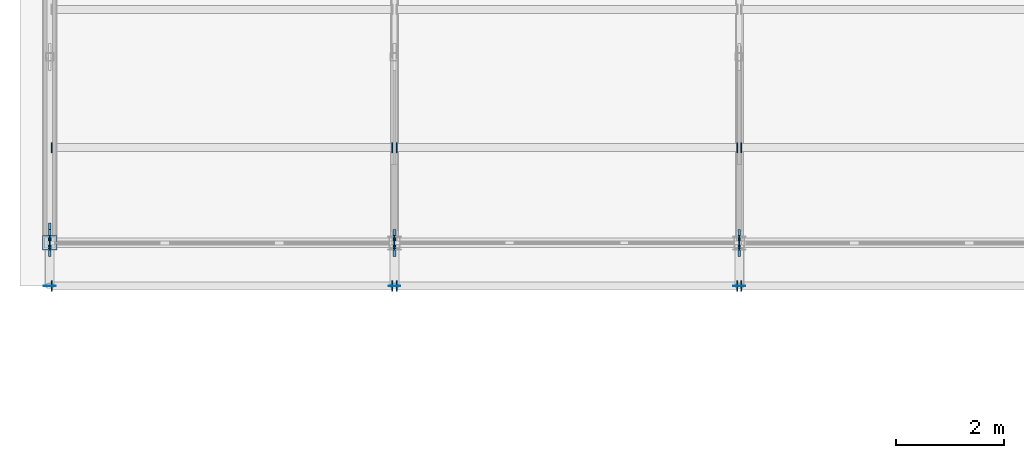
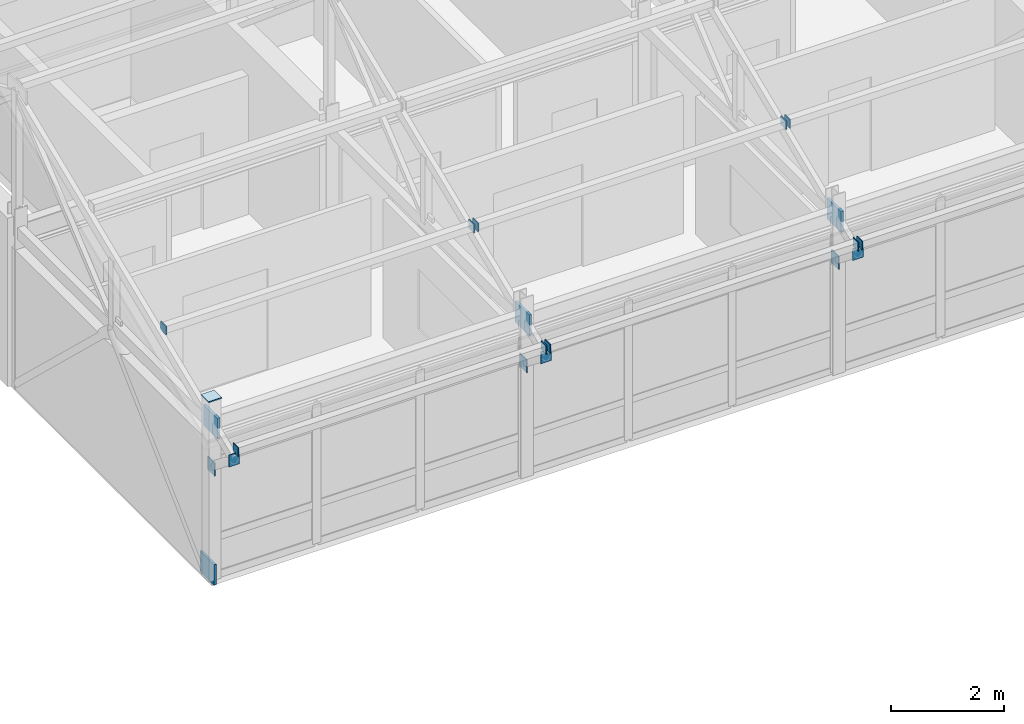
# One storey, part 4 of 11: 21 plates.
"""IFC4 building model written with IfcOpenShell, lengths in metres."""

from ifc_helpers import new_model, si_unit, direction, frame, origin, origin_2d, place, context, subcontext, project, spatial, rectangle, extrude, material, layer, layer_set, type_object, element, save


model = new_model("IFC4")

# Units and contexts
model_context = context("Model", 3, precision=1e-05, world=origin(), true_north=direction((0.0, 1.0)))
body_context = subcontext(model_context, "Body", "Model", "MODEL_VIEW")
ifc_project = project(units=[si_unit("LENGTHUNIT", "METRE"), si_unit("AREAUNIT", "SQUARE_METRE"), si_unit("VOLUMEUNIT", "CUBIC_METRE"), si_unit("PLANEANGLEUNIT", "RADIAN"), si_unit("MASSUNIT", "GRAM", prefix="KILO")], contexts=[model_context])

# Site, building, storey
site_placement = place(None, origin())
site = spatial("IfcSite", under=ifc_project, at=site_placement, CompositionType="ELEMENT")
building_placement = place(site_placement, origin())
building = spatial("IfcBuilding", under=site, at=building_placement, Name="Trelmorton Wharf Fire Station", CompositionType="ELEMENT")
storey_placement = place(building_placement, frame((0.0, 0.0, 25.199951171875)))
storey = spatial("IfcBuildingStorey", under=building, at=storey_placement, Name="L06", CompositionType="ELEMENT", Elevation=25.199951171875)

# Plates
ifc_material = material(Name="Steel Grade 350", Category="steel")
ifc_layer_1 = layer(ifc_material, 0.011962890625)
ifc_layer_set_1 = layer_set([ifc_layer_1], Name="Steel Grade 350")
plate_type_1 = type_object("IfcPlateType", Name="PL_ENDCAP_12", PredefinedType="SHEET", material=ifc_layer_set_1)
for number, where, z_axis, x_axis, name in (
    (1, (70.800048828125, 59.5, 2.90087890625), (0.0, 0.0, 1.0), (1.0, 0.0, 0.0), "PL-EC-0135"),
    (2, (77.199951171875, 59.5, 2.90087890625), (0.0, 0.0, 1.0), (1.0, 0.0, 0.0), "PL-EC-0139"),
    (3, (83.60009765625, 59.5, 2.90087890625), (0.0, 0.0, 1.0), (1.0, 0.0, 0.0), "PL-EC-0143"),
):
    element("IfcPlate", number, at=place(storey_placement, frame(where, z_axis=z_axis, x_axis=x_axis)), inside=storey, type_object=plate_type_1, Name=name, PredefinedType="SHEET", context=body_context, shape_type="SweptSolid", body=[
        extrude(rectangle(XDim=0.219970703125, YDim=0.011962890625, at=origin_2d()), origin(), (0.0, 0.0, 1.0), 0.260009765625),
    ])
for number, where, z_axis, x_axis, name in (
    (4, (70.839111328125, 59.5, 3.135498046875), (0.0, 0.0, 1.0), (1.0, 0.0, 0.0), "PL-PREC-A-0151"),
    (5, (77.160888671875, 59.5, 3.135498046875), (0.0, 0.0, 1.0), (1.0, 0.0, 0.0), "PL-PREC-B-0152"),
    (6, (70.839111328125, 62.066650390625, 4.21435546875), (0.0, 0.0, 1.0), (1.0, 0.0, 0.0), "PL-PREC-A-0153"),
    (7, (77.160888671875, 62.066650390625, 4.21435546875), (0.0, 0.0, 1.0), (1.0, 0.0, 0.0), "PL-PREC-B-0154"),
    (8, (77.239013671875, 59.5, 3.135498046875), (0.0, 0.0, 1.0), (1.0, 0.0, 0.0), "PL-PREC-A-0165"),
    (9, (83.56103515625, 59.5, 3.135498046875), (0.0, 0.0, 1.0), (1.0, 0.0, 0.0), "PL-PREC-B-0166"),
    (10, (77.239013671875, 62.066650390625, 4.21435546875), (0.0, 0.0, 1.0), (1.0, 0.0, 0.0), "PL-PREC-A-0167"),
    (11, (83.56103515625, 62.066650390625, 4.21435546875), (0.0, 0.0, 1.0), (1.0, 0.0, 0.0), "PL-PREC-B-0168"),
    (12, (83.638916015625, 59.5, 3.135498046875), (0.0, 0.0, 1.0), (1.0, 0.0, 0.0), "PL-PREC-A-0179"),
    (13, (83.638916015625, 62.066650390625, 4.21435546875), (0.0, 0.0, 1.0), (1.0, 0.0, 0.0), "PL-PREC-A-0181"),
):
    element("IfcPlate", number, at=place(storey_placement, frame(where, z_axis=z_axis, x_axis=x_axis)), inside=storey, type_object=plate_type_1, Name=name, PredefinedType="SHEET", context=body_context, shape_type="SweptSolid", body=[
        extrude(rectangle(XDim=0.02001953125, YDim=0.18994140625, at=origin_2d()), origin(), (0.0, 0.0, 1.0), 0.18994140625),
    ])
ifc_layer_2 = layer(ifc_material, 0.02001953125)
ifc_layer_set_2 = layer_set([ifc_layer_2], Name="Steel Grade 350")
plate_type_2 = type_object("IfcPlateType", Name="PL_ENDCAP_20", PredefinedType="SHEET", material=ifc_layer_set_2)
plate_placement = place(storey_placement, frame((70.800048828125, 60.300048828125, 3.898193359375), z_axis=(0.0, 0.0, 1.0), x_axis=(1.0, 0.0, 0.0)))
element("IfcPlate", 14, at=plate_placement, inside=storey, type_object=plate_type_2, Name="PL-COLCAP-T-0794", PredefinedType="SHEET", context=body_context, shape_type="SweptSolid", body=[
    extrude(rectangle(XDim=0.27001953125, YDim=0.27001953125, at=origin_2d()), origin(), (0.0, 0.0, 1.0), 0.02392578125),
])
for number, where, z_axis, x_axis, name in (
    (15, (70.800048828125, 60.300048828125, 2.26025390625), (0.0, 0.0, 1.0), (1.0, 0.0, 0.0), "PL-EC-0136"),
    (16, (77.199951171875, 60.300048828125, 2.26025390625), (0.0, 0.0, 1.0), (1.0, 0.0, 0.0), "PL-EC-0140"),
    (17, (83.60009765625, 60.300048828125, 2.26025390625), (0.0, 0.0, 1.0), (1.0, 0.0, 0.0), "PL-EC-0144"),
):
    element("IfcPlate", number, at=place(storey_placement, frame(where, z_axis=z_axis, x_axis=x_axis)), inside=storey, type_object=plate_type_2, Name=name, PredefinedType="SHEET", context=body_context, shape_type="SweptSolid", body=[
        extrude(rectangle(XDim=0.02001953125, YDim=0.260009765625, at=origin_2d()), origin(), (0.0, 0.0, 1.0), 0.280029296875),
    ])
ifc_layer_3 = layer(ifc_material, 0.050048828125)
ifc_layer_set_3 = layer_set([ifc_layer_3], Name="Steel Grade 350")
plate_type_3 = type_object("IfcPlateType", Name="PL_GUSSET_TN2", PredefinedType="USERDEFINED", material=ifc_layer_set_3)
for number, where, z_axis, x_axis, name in (
    (18, (70.800048828125, 60.300048828125, 3.14208984375), (0.0, 0.0, 1.0), (1.0, 0.0, 0.0), "PL-TN-0329"),
    (19, (77.199951171875, 60.300048828125, 3.14208984375), (0.0, 0.0, 1.0), (1.0, 0.0, 0.0), "PL-TN-0334"),
    (20, (83.60009765625, 60.300048828125, 3.14208984375), (0.0, 0.0, 1.0), (1.0, 0.0, 0.0), "PL-TN-0339"),
    (21, (70.800048828125, 60.422119140625, -0.10498046875), (0.0, 0.0, 1.0), (1.0, 0.0, 0.0), "PL-CBF-0418"),
):
    element("IfcPlate", number, at=place(storey_placement, frame(where, z_axis=z_axis, x_axis=x_axis)), inside=storey, type_object=plate_type_3, Name=name, ObjectType="GUSSET PLATE", PredefinedType="USERDEFINED", context=body_context, shape_type="SweptSolid", body=[
        extrude(rectangle(XDim=0.050048828125, YDim=0.5, at=origin_2d()), origin(), (0.0, 0.0, 1.0), 0.449951171875),
    ])

save(model, "model.ifc")
